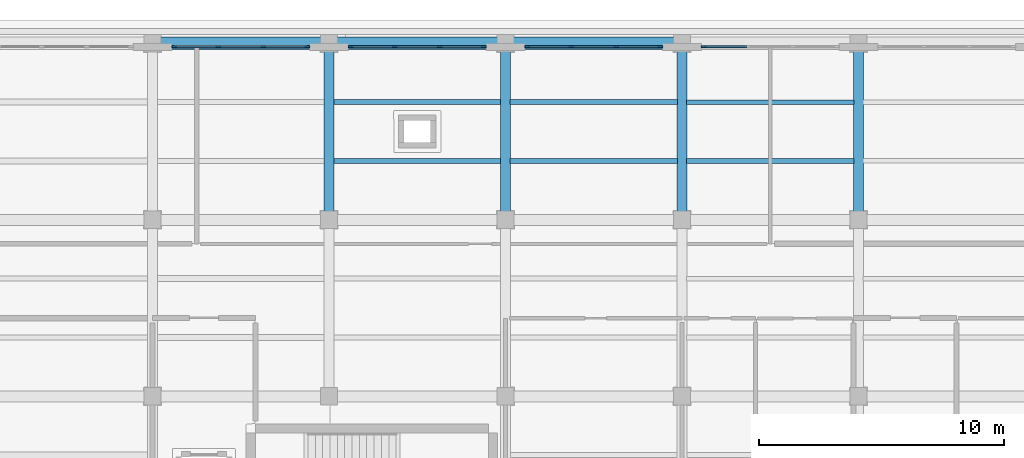
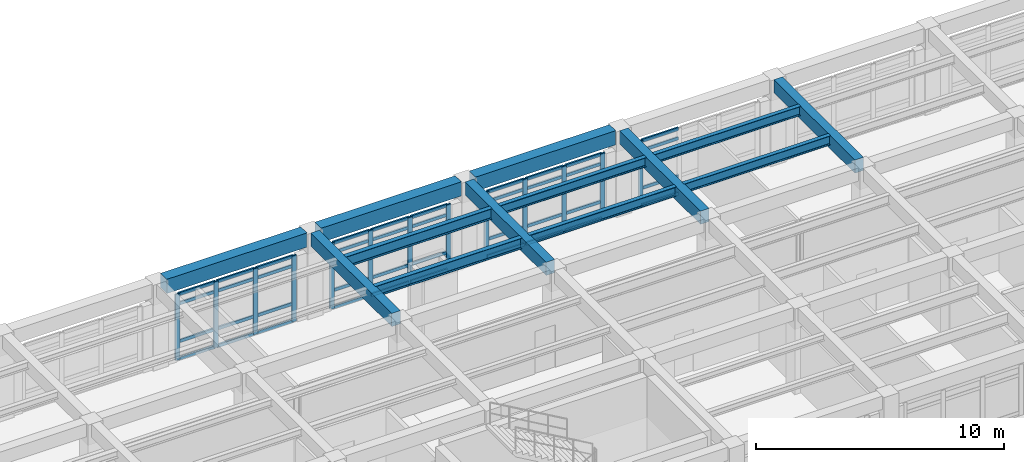
# One storey, part 29 of 64: 53 members, 13 beams, 4 elements without a shape of their own.
"""IFC4 building model written with IfcOpenShell, lengths in metres."""

from ifc_helpers import new_model, si_unit, direction, frame, origin, origin_2d, place, context, subcontext, project, spatial, rectangle, i_section, extrude, material, layer, layer_set, material_profile, profile_set, type_object, element, aggregate, save


model = new_model("IFC4")

# Units and contexts
model_context = context("Model", 3, precision=1e-05, world=origin(), true_north=direction((0.0, 1.0)))
body_context = subcontext(model_context, "Body", "Model", "MODEL_VIEW")
ifc_project = project(units=[si_unit("LENGTHUNIT", "METRE"), si_unit("AREAUNIT", "SQUARE_METRE"), si_unit("VOLUMEUNIT", "CUBIC_METRE"), si_unit("PLANEANGLEUNIT", "RADIAN"), si_unit("MASSUNIT", "GRAM", prefix="KILO")], contexts=[model_context])

# Site, building, storey
site_placement = place(None, origin())
site = spatial("IfcSite", under=ifc_project, at=site_placement, CompositionType="ELEMENT")
building_placement = place(site_placement, origin())
building = spatial("IfcBuilding", under=site, at=building_placement, Name="Solenvale Faculty of Natural Sciences", CompositionType="ELEMENT")
storey_placement = place(building_placement, frame((0.0, 0.0, 18.0)))
storey = spatial("IfcBuildingStorey", under=building, at=storey_placement, Name="L04", CompositionType="ELEMENT", Elevation=18.0)

# Beams
ifc_material_1 = material(Name="Concrete 40 MPa", Category="concrete")
ifc_material_profile_1 = material_profile(ifc_material_1, rectangle(XDim=0.39990234375, YDim=0.64990234375, at=origin_2d()), Name="RC-BM-400x650")
ifc_profile_set_1 = profile_set([ifc_material_profile_1], Name="Concrete 40 MPa")
beam_type_1 = type_object("IfcBeamType", Name="BM-RC-400x650", PredefinedType="BEAM", material=ifc_profile_set_1)
for number, where, z_axis, x_axis, name in (
    (1, (108.0, 108.330078125, 3.89501953125), (0.0, 1.0, 0.0), (-1.0, 0.0, 0.0), "L04 Y-Girder X108.0 (108.0..115.2)"),
    (2, (115.199951171875, 108.330078125, 3.89501953125), (0.0, 1.0, 0.0), (-1.0, 0.0, 0.0), "L04 Y-Girder X115.2 (108.0..115.2)"),
    (3, (122.39990234375, 108.330078125, 3.89501953125), (0.0, 1.0, 0.0), (-1.0, 0.0, 0.0), "L04 Y-Girder X122.4 (108.0..115.2)"),
    (4, (129.60009765625, 108.330078125, 3.89501953125), (0.0, 1.0, 0.0), (-1.0, 0.0, 0.0), "L04 Y-Girder X129.6 (108.0..115.2)"),
):
    element("IfcBeam", number, at=place(storey_placement, frame(where, z_axis=z_axis, x_axis=x_axis)), inside=storey, type_object=beam_type_1, Name=name, PredefinedType="BEAM", context=body_context, shape_type="SweptSolid", body=[
        extrude(rectangle(XDim=0.39990234375, YDim=0.64990234375, at=origin_2d()), origin(), (0.0, 0.0, 1.0), 6.5400390625),
    ])
ifc_material_2 = material(Name="Precast concrete 40 MPa", Category="concrete")
ifc_material_profile_2 = material_profile(ifc_material_2, rectangle(XDim=0.5, YDim=0.699951171875, at=origin_2d()), Name="RC-BM-500x700")
ifc_profile_set_2 = profile_set([ifc_material_profile_2], Name="Precast concrete 40 MPa")
beam_type_2 = type_object("IfcBeamType", Name="BM-SPN-PRC-700", PredefinedType="SPANDREL", material=ifc_profile_set_2)
for number, where, z_axis, x_axis, name in (
    (5, (101.1298828125, 115.199951171875, 3.8701171875), (1.0, 0.0, 0.0), (0.0, 1.0, 0.0), "L04 X-Girder Y115.2 (100.8..108.0)"),
    (6, (108.330078125, 115.199951171875, 3.8701171875), (1.0, 0.0, 0.0), (0.0, 1.0, 0.0), "L04 X-Girder Y115.2 (108.0..115.2)"),
    (7, (115.530029296875, 115.199951171875, 3.8701171875), (1.0, 0.0, 0.0), (0.0, 1.0, 0.0), "L04 X-Girder Y115.2 (115.2..122.4)"),
):
    element("IfcBeam", number, at=place(storey_placement, frame(where, z_axis=z_axis, x_axis=x_axis)), inside=storey, type_object=beam_type_2, Name=name, PredefinedType="SPANDREL", context=body_context, shape_type="SweptSolid", body=[
        extrude(rectangle(XDim=0.5, YDim=0.699951171875, at=origin_2d()), origin(), (0.0, 0.0, 1.0), 6.5400390625),
    ])
ifc_material_3 = material(Name="Steel S355", Category="steel")
ifc_material_profile_3 = material_profile(ifc_material_3, i_section(OverallWidth=0.194091796875, OverallDepth=0.468994140625, WebThickness=0.0126953125, FlangeThickness=0.0205078125, FilletRadius=0.01806640625, at=origin_2d()), Name="W460x106")
ifc_profile_set_3 = profile_set([ifc_material_profile_3], Name="Steel S355")
beam_type_3 = type_object("IfcBeamType", Name="BM-STL-W460x106", PredefinedType="JOIST", material=ifc_profile_set_3)
for number, where, z_axis, x_axis, name in (
    (8, (115.3798828125, 110.39990234375, 3.985595703125), (1.0, 0.0, 0.0), (0.0, 1.0, 0.0), "L04 Composite Floor Joist (17,16).1"),
    (9, (115.3798828125, 112.800048828125, 3.985595703125), (1.0, 0.0, 0.0), (0.0, 1.0, 0.0), "L04 Composite Floor Joist (17,16).2"),
):
    element("IfcBeam", number, at=place(storey_placement, frame(where, z_axis=z_axis, x_axis=x_axis)), inside=storey, type_object=beam_type_3, Name=name, PredefinedType="JOIST", context=body_context, shape_type="SweptSolid", body=[
        extrude(i_section(OverallWidth=0.194091796875, OverallDepth=0.468994140625, WebThickness=0.0126953125, FlangeThickness=0.0205078125, FilletRadius=0.01806640625, at=origin_2d()), origin(), (0.0, 0.0, 1.0), 6.840087890625),
    ])
ifc_material_profile_4 = material_profile(ifc_material_3, i_section(OverallWidth=0.19091796875, OverallDepth=0.4599609375, WebThickness=0.010009765625, FlangeThickness=0.01611328125, FilletRadius=0.01806640625, at=origin_2d()), Name="W460x82")
ifc_profile_set_4 = profile_set([ifc_material_profile_4], Name="Steel S355")
beam_type_4 = type_object("IfcBeamType", Name="BM-STL-W460x82", PredefinedType="JOIST", material=ifc_profile_set_4)
for number, where, z_axis, x_axis, name in (
    (10, (122.580078125, 110.39990234375, 3.989990234375), (1.0, 0.0, 0.0), (0.0, 1.0, 0.0), "L04 Composite Floor Joist (18,16).1"),
    (11, (122.580078125, 112.800048828125, 3.989990234375), (1.0, 0.0, 0.0), (0.0, 1.0, 0.0), "L04 Composite Floor Joist (18,16).2"),
):
    element("IfcBeam", number, at=place(storey_placement, frame(where, z_axis=z_axis, x_axis=x_axis)), inside=storey, type_object=beam_type_4, Name=name, PredefinedType="JOIST", context=body_context, shape_type="SweptSolid", body=[
        extrude(i_section(OverallWidth=0.19091796875, OverallDepth=0.4599609375, WebThickness=0.010009765625, FlangeThickness=0.01611328125, FilletRadius=0.01806640625, at=origin_2d()), origin(), (0.0, 0.0, 1.0), 6.83984375),
    ])
ifc_material_profile_5 = material_profile(ifc_material_3, i_section(OverallWidth=0.208984375, OverallDepth=0.532958984375, WebThickness=0.01025390625, FlangeThickness=0.015625, FilletRadius=0.01904296875, at=origin_2d()), Name="W530x92")
ifc_profile_set_5 = profile_set([ifc_material_profile_5], Name="Steel S355")
beam_type_5 = type_object("IfcBeamType", Name="BM-STL-W530x92", PredefinedType="JOIST", material=ifc_profile_set_5)
for number, where, z_axis, x_axis, name in (
    (12, (108.179931640625, 110.39990234375, 3.95361328125), (1.0, 0.0, 0.0), (0.0, 1.0, 0.0), "L04 Composite Floor Joist (16,16).1"),
    (13, (108.179931640625, 112.800048828125, 3.95361328125), (1.0, 0.0, 0.0), (0.0, 1.0, 0.0), "L04 Composite Floor Joist (16,16).2"),
):
    element("IfcBeam", number, at=place(storey_placement, frame(where, z_axis=z_axis, x_axis=x_axis)), inside=storey, type_object=beam_type_5, Name=name, PredefinedType="JOIST", context=body_context, shape_type="SweptSolid", body=[
        extrude(i_section(OverallWidth=0.208984375, OverallDepth=0.532958984375, WebThickness=0.01025390625, FlangeThickness=0.015625, FilletRadius=0.01904296875, at=origin_2d()), origin(), (0.0, 0.0, 1.0), 6.840087890625),
    ])

# Curtain wall, member
ifc_material_4 = material(Name="Anodised bronze aluminium", Category="aluminium")
ifc_layer = layer(ifc_material_4, 0.179931640625)
ifc_layer_set = layer_set([ifc_layer], Name="Anodised bronze aluminium")
curtain_wall_type = type_object("IfcCurtainWallType", Name="CW-TWR-MOD", PredefinedType="USERDEFINED", material=ifc_layer_set)
curtain_wall_1_placement = place(storey_placement, origin())
curtain_wall_1 = element("IfcCurtainWall", 14, at=curtain_wall_1_placement, inside=storey, type_object=curtain_wall_type, Name="L04 Curtain Wall CW-L04-P3-E4-B4", ObjectType="UNITISED CURTAIN WALL", PredefinedType="USERDEFINED")
ifc_material_profile_6 = material_profile(ifc_material_4, rectangle(XDim=0.074951171875, YDim=0.2099609375, at=origin_2d()), Name="ALU-MUL-75x210")
ifc_profile_set_6 = profile_set([ifc_material_profile_6], Name="Anodised bronze aluminium")
member_type_1 = type_object("IfcMemberType", Name="CWM-ALU-75x210", PredefinedType="MULLION", material=ifc_profile_set_6)
member_1_placement = place(storey_placement, frame((123.28759765625, 115.0576171875, 0.0), z_axis=(0.0, 0.0, 1.0), x_axis=(0.0, -1.0, 0.0)))
member_1 = element("IfcMember", 15, at=member_1_placement, type_object=member_type_1, Name="CW-04 mullion 4", PredefinedType="MULLION", context=body_context, shape_type="SweptSolid", body=[
    extrude(rectangle(XDim=0.074951171875, YDim=0.2099609375, at=origin_2d()), origin(), (0.0, 0.0, 1.0), 3.260009765625),
])

# Curtain wall, members
curtain_wall_2_placement = place(storey_placement, origin())
curtain_wall_2 = element("IfcCurtainWall", 16, at=curtain_wall_2_placement, inside=storey, type_object=curtain_wall_type, Name="L04 Curtain Wall CW-L04-P3-E4-B5", ObjectType="UNITISED CURTAIN WALL", PredefinedType="USERDEFINED")
member_2_placement = place(storey_placement, frame((121.512451171875, 115.0576171875, 0.0), z_axis=(0.0, 0.0, 1.0), x_axis=(0.0, -1.0, 0.0)))
member_2 = element("IfcMember", 17, at=member_2_placement, type_object=member_type_1, Name="CW-04 mullion 1", PredefinedType="MULLION", context=body_context, shape_type="SweptSolid", body=[
    extrude(rectangle(XDim=0.074951171875, YDim=0.2099609375, at=origin_2d()), origin(), (0.0, 0.0, 1.0), 3.260009765625),
])
member_3_placement = place(storey_placement, frame((119.716552734375, 115.0576171875, 0.0), z_axis=(0.0, 0.0, 1.0), x_axis=(0.0, -1.0, 0.0)))
member_3 = element("IfcMember", 18, at=member_3_placement, type_object=member_type_1, Name="CW-04 mullion 2", PredefinedType="MULLION", context=body_context, shape_type="SweptSolid", body=[
    extrude(rectangle(XDim=0.074951171875, YDim=0.2099609375, at=origin_2d()), origin(), (0.0, 0.0, 1.0), 3.260009765625),
])
member_4_placement = place(storey_placement, frame((117.88330078125, 115.0576171875, 0.0), z_axis=(0.0, 0.0, 1.0), x_axis=(0.0, -1.0, 0.0)))
member_4 = element("IfcMember", 19, at=member_4_placement, type_object=member_type_1, Name="CW-04 mullion 3", PredefinedType="MULLION", context=body_context, shape_type="SweptSolid", body=[
    extrude(rectangle(XDim=0.074951171875, YDim=0.2099609375, at=origin_2d()), origin(), (0.0, 0.0, 1.0), 3.260009765625),
])
member_5_placement = place(storey_placement, frame((116.08740234375, 115.0576171875, 0.0), z_axis=(0.0, 0.0, 1.0), x_axis=(0.0, -1.0, 0.0)))
member_5 = element("IfcMember", 20, at=member_5_placement, type_object=member_type_1, Name="CW-04 mullion 4", PredefinedType="MULLION", context=body_context, shape_type="SweptSolid", body=[
    extrude(rectangle(XDim=0.074951171875, YDim=0.2099609375, at=origin_2d()), origin(), (0.0, 0.0, 1.0), 3.260009765625),
])

curtain_wall_3_placement = place(storey_placement, origin())
curtain_wall_3 = element("IfcCurtainWall", 21, at=curtain_wall_3_placement, inside=storey, type_object=curtain_wall_type, Name="L04 Curtain Wall CW-L04-P3-E4-B6", ObjectType="UNITISED CURTAIN WALL", PredefinedType="USERDEFINED")
member_6_placement = place(storey_placement, frame((114.3125, 115.0576171875, 0.0), z_axis=(0.0, 0.0, 1.0), x_axis=(0.0, -1.0, 0.0)))
member_6 = element("IfcMember", 22, at=member_6_placement, type_object=member_type_1, Name="CW-04 mullion 1", PredefinedType="MULLION", context=body_context, shape_type="SweptSolid", body=[
    extrude(rectangle(XDim=0.074951171875, YDim=0.2099609375, at=origin_2d()), origin(), (0.0, 0.0, 1.0), 3.260009765625),
])
member_7_placement = place(storey_placement, frame((112.5166015625, 115.0576171875, 0.0), z_axis=(0.0, 0.0, 1.0), x_axis=(0.0, -1.0, 0.0)))
member_7 = element("IfcMember", 23, at=member_7_placement, type_object=member_type_1, Name="CW-04 mullion 2", PredefinedType="MULLION", context=body_context, shape_type="SweptSolid", body=[
    extrude(rectangle(XDim=0.074951171875, YDim=0.2099609375, at=origin_2d()), origin(), (0.0, 0.0, 1.0), 3.260009765625),
])
member_8_placement = place(storey_placement, frame((110.683349609375, 115.0576171875, 0.0), z_axis=(0.0, 0.0, 1.0), x_axis=(0.0, -1.0, 0.0)))
member_8 = element("IfcMember", 24, at=member_8_placement, type_object=member_type_1, Name="CW-04 mullion 3", PredefinedType="MULLION", context=body_context, shape_type="SweptSolid", body=[
    extrude(rectangle(XDim=0.074951171875, YDim=0.2099609375, at=origin_2d()), origin(), (0.0, 0.0, 1.0), 3.260009765625),
])
member_9_placement = place(storey_placement, frame((108.887451171875, 115.0576171875, 0.0), z_axis=(0.0, 0.0, 1.0), x_axis=(0.0, -1.0, 0.0)))
member_9 = element("IfcMember", 25, at=member_9_placement, type_object=member_type_1, Name="CW-04 mullion 4", PredefinedType="MULLION", context=body_context, shape_type="SweptSolid", body=[
    extrude(rectangle(XDim=0.074951171875, YDim=0.2099609375, at=origin_2d()), origin(), (0.0, 0.0, 1.0), 3.260009765625),
])

curtain_wall_4_placement = place(storey_placement, origin())
curtain_wall_4 = element("IfcCurtainWall", 26, at=curtain_wall_4_placement, inside=storey, type_object=curtain_wall_type, Name="L04 Curtain Wall CW-L04-P3-E4-B7", ObjectType="UNITISED CURTAIN WALL", PredefinedType="USERDEFINED")
member_10_placement = place(storey_placement, frame((107.112548828125, 115.0576171875, 0.0), z_axis=(0.0, 0.0, 1.0), x_axis=(0.0, -1.0, 0.0)))
member_10 = element("IfcMember", 27, at=member_10_placement, type_object=member_type_1, Name="CW-04 mullion 1", PredefinedType="MULLION", context=body_context, shape_type="SweptSolid", body=[
    extrude(rectangle(XDim=0.074951171875, YDim=0.2099609375, at=origin_2d()), origin(), (0.0, 0.0, 1.0), 3.260009765625),
])
member_11_placement = place(storey_placement, frame((105.316650390625, 115.0576171875, 0.0), z_axis=(0.0, 0.0, 1.0), x_axis=(0.0, -1.0, 0.0)))
member_11 = element("IfcMember", 28, at=member_11_placement, type_object=member_type_1, Name="CW-04 mullion 2", PredefinedType="MULLION", context=body_context, shape_type="SweptSolid", body=[
    extrude(rectangle(XDim=0.074951171875, YDim=0.2099609375, at=origin_2d()), origin(), (0.0, 0.0, 1.0), 3.260009765625),
])
member_12_placement = place(storey_placement, frame((103.4833984375, 115.0576171875, 0.0), z_axis=(0.0, 0.0, 1.0), x_axis=(0.0, -1.0, 0.0)))
member_12 = element("IfcMember", 29, at=member_12_placement, type_object=member_type_1, Name="CW-04 mullion 3", PredefinedType="MULLION", context=body_context, shape_type="SweptSolid", body=[
    extrude(rectangle(XDim=0.074951171875, YDim=0.2099609375, at=origin_2d()), origin(), (0.0, 0.0, 1.0), 3.260009765625),
])
member_13_placement = place(storey_placement, frame((101.6875, 115.0576171875, 0.0), z_axis=(0.0, 0.0, 1.0), x_axis=(0.0, -1.0, 0.0)))
member_13 = element("IfcMember", 30, at=member_13_placement, type_object=member_type_1, Name="CW-04 mullion 4", PredefinedType="MULLION", context=body_context, shape_type="SweptSolid", body=[
    extrude(rectangle(XDim=0.074951171875, YDim=0.2099609375, at=origin_2d()), origin(), (0.0, 0.0, 1.0), 3.260009765625),
])

# Member
ifc_material_profile_7 = material_profile(ifc_material_4, rectangle(XDim=0.074951171875, YDim=0.155029296875, at=origin_2d()), Name="ALU-TRN-75x155")
ifc_profile_set_7 = profile_set([ifc_material_profile_7], Name="Anodised bronze aluminium")
member_type_2 = type_object("IfcMemberType", Name="CWT-ALU-75x155", PredefinedType="USERDEFINED", material=ifc_profile_set_7)
member_14_placement = place(storey_placement, frame((125.0458984375, 115.0576171875, 0.03759765625), z_axis=(-1.0, 0.0, 0.0), x_axis=(0.0, -1.0, 0.0)))
member_14 = element("IfcMember", 31, at=member_14_placement, type_object=member_type_2, Name="CW-04 transom 3.1", ObjectType="TRANSOM", PredefinedType="USERDEFINED", context=body_context, shape_type="SweptSolid", body=[
    extrude(rectangle(XDim=0.074951171875, YDim=0.155029296875, at=origin_2d()), origin(), (0.0, 0.0, 1.0), 1.720947265625),
])

member_15_placement = place(storey_placement, frame((125.0458984375, 115.0576171875, 0.89990234375), z_axis=(-1.0, 0.0, 0.0), x_axis=(0.0, -1.0, 0.0)))
member_15 = element("IfcMember", 32, at=member_15_placement, type_object=member_type_2, Name="CW-04 transom 3.2", ObjectType="TRANSOM", PredefinedType="USERDEFINED", context=body_context, shape_type="SweptSolid", body=[
    extrude(rectangle(XDim=0.074951171875, YDim=0.155029296875, at=origin_2d()), origin(), (0.0, 0.0, 1.0), 1.720947265625),
])

member_16_placement = place(storey_placement, frame((125.0458984375, 115.0576171875, 2.760009765625), z_axis=(-1.0, 0.0, 0.0), x_axis=(0.0, -1.0, 0.0)))
member_16 = element("IfcMember", 33, at=member_16_placement, type_object=member_type_2, Name="CW-04 transom 3.3", ObjectType="TRANSOM", PredefinedType="USERDEFINED", context=body_context, shape_type="SweptSolid", body=[
    extrude(rectangle(XDim=0.074951171875, YDim=0.155029296875, at=origin_2d()), origin(), (0.0, 0.0, 1.0), 1.720947265625),
])

member_17_placement = place(storey_placement, frame((125.0458984375, 115.0576171875, 3.222412109375), z_axis=(-1.0, 0.0, 0.0), x_axis=(0.0, -1.0, 0.0)))
member_17 = element("IfcMember", 34, at=member_17_placement, type_object=member_type_2, Name="CW-04 transom 3.4", ObjectType="TRANSOM", PredefinedType="USERDEFINED", context=body_context, shape_type="SweptSolid", body=[
    extrude(rectangle(XDim=0.074951171875, YDim=0.155029296875, at=origin_2d()), origin(), (0.0, 0.0, 1.0), 1.720947265625),
])

aggregate(curtain_wall_1, [member_1, member_14, member_15, member_16, member_17])

member_18_placement = place(storey_placement, frame((121.47509765625, 115.0576171875, 0.03759765625), z_axis=(-1.0, 0.0, 0.0), x_axis=(0.0, -1.0, 0.0)))
member_18 = element("IfcMember", 35, at=member_18_placement, type_object=member_type_2, Name="CW-04 transom 1.1", ObjectType="TRANSOM", PredefinedType="USERDEFINED", context=body_context, shape_type="SweptSolid", body=[
    extrude(rectangle(XDim=0.074951171875, YDim=0.155029296875, at=origin_2d()), origin(), (0.0, 0.0, 1.0), 1.720947265625),
])

member_19_placement = place(storey_placement, frame((121.47509765625, 115.0576171875, 0.89990234375), z_axis=(-1.0, 0.0, 0.0), x_axis=(0.0, -1.0, 0.0)))
member_19 = element("IfcMember", 36, at=member_19_placement, type_object=member_type_2, Name="CW-04 transom 1.2", ObjectType="TRANSOM", PredefinedType="USERDEFINED", context=body_context, shape_type="SweptSolid", body=[
    extrude(rectangle(XDim=0.074951171875, YDim=0.155029296875, at=origin_2d()), origin(), (0.0, 0.0, 1.0), 1.720947265625),
])

member_20_placement = place(storey_placement, frame((121.47509765625, 115.0576171875, 2.760009765625), z_axis=(-1.0, 0.0, 0.0), x_axis=(0.0, -1.0, 0.0)))
member_20 = element("IfcMember", 37, at=member_20_placement, type_object=member_type_2, Name="CW-04 transom 1.3", ObjectType="TRANSOM", PredefinedType="USERDEFINED", context=body_context, shape_type="SweptSolid", body=[
    extrude(rectangle(XDim=0.074951171875, YDim=0.155029296875, at=origin_2d()), origin(), (0.0, 0.0, 1.0), 1.720947265625),
])

member_21_placement = place(storey_placement, frame((121.47509765625, 115.0576171875, 3.222412109375), z_axis=(-1.0, 0.0, 0.0), x_axis=(0.0, -1.0, 0.0)))
member_21 = element("IfcMember", 38, at=member_21_placement, type_object=member_type_2, Name="CW-04 transom 1.4", ObjectType="TRANSOM", PredefinedType="USERDEFINED", context=body_context, shape_type="SweptSolid", body=[
    extrude(rectangle(XDim=0.074951171875, YDim=0.155029296875, at=origin_2d()), origin(), (0.0, 0.0, 1.0), 1.720947265625),
])

member_22_placement = place(storey_placement, frame((119.67919921875, 115.0576171875, 0.03759765625), z_axis=(-1.0, 0.0, 0.0), x_axis=(0.0, -1.0, 0.0)))
member_22 = element("IfcMember", 39, at=member_22_placement, type_object=member_type_2, Name="CW-04 transom 2.1", ObjectType="TRANSOM", PredefinedType="USERDEFINED", context=body_context, shape_type="SweptSolid", body=[
    extrude(rectangle(XDim=0.074951171875, YDim=0.155029296875, at=origin_2d()), origin(), (0.0, 0.0, 1.0), 1.75830078125),
])

member_23_placement = place(storey_placement, frame((119.67919921875, 115.0576171875, 0.89990234375), z_axis=(-1.0, 0.0, 0.0), x_axis=(0.0, -1.0, 0.0)))
member_23 = element("IfcMember", 40, at=member_23_placement, type_object=member_type_2, Name="CW-04 transom 2.2", ObjectType="TRANSOM", PredefinedType="USERDEFINED", context=body_context, shape_type="SweptSolid", body=[
    extrude(rectangle(XDim=0.074951171875, YDim=0.155029296875, at=origin_2d()), origin(), (0.0, 0.0, 1.0), 1.75830078125),
])

member_24_placement = place(storey_placement, frame((119.67919921875, 115.0576171875, 2.760009765625), z_axis=(-1.0, 0.0, 0.0), x_axis=(0.0, -1.0, 0.0)))
member_24 = element("IfcMember", 41, at=member_24_placement, type_object=member_type_2, Name="CW-04 transom 2.3", ObjectType="TRANSOM", PredefinedType="USERDEFINED", context=body_context, shape_type="SweptSolid", body=[
    extrude(rectangle(XDim=0.074951171875, YDim=0.155029296875, at=origin_2d()), origin(), (0.0, 0.0, 1.0), 1.75830078125),
])

member_25_placement = place(storey_placement, frame((119.67919921875, 115.0576171875, 3.222412109375), z_axis=(-1.0, 0.0, 0.0), x_axis=(0.0, -1.0, 0.0)))
member_25 = element("IfcMember", 42, at=member_25_placement, type_object=member_type_2, Name="CW-04 transom 2.4", ObjectType="TRANSOM", PredefinedType="USERDEFINED", context=body_context, shape_type="SweptSolid", body=[
    extrude(rectangle(XDim=0.074951171875, YDim=0.155029296875, at=origin_2d()), origin(), (0.0, 0.0, 1.0), 1.75830078125),
])

member_26_placement = place(storey_placement, frame((117.845947265625, 115.0576171875, 0.03759765625), z_axis=(-1.0, 0.0, 0.0), x_axis=(0.0, -1.0, 0.0)))
member_26 = element("IfcMember", 43, at=member_26_placement, type_object=member_type_2, Name="CW-04 transom 3.1", ObjectType="TRANSOM", PredefinedType="USERDEFINED", context=body_context, shape_type="SweptSolid", body=[
    extrude(rectangle(XDim=0.074951171875, YDim=0.155029296875, at=origin_2d()), origin(), (0.0, 0.0, 1.0), 1.720947265625),
])

member_27_placement = place(storey_placement, frame((117.845947265625, 115.0576171875, 0.89990234375), z_axis=(-1.0, 0.0, 0.0), x_axis=(0.0, -1.0, 0.0)))
member_27 = element("IfcMember", 44, at=member_27_placement, type_object=member_type_2, Name="CW-04 transom 3.2", ObjectType="TRANSOM", PredefinedType="USERDEFINED", context=body_context, shape_type="SweptSolid", body=[
    extrude(rectangle(XDim=0.074951171875, YDim=0.155029296875, at=origin_2d()), origin(), (0.0, 0.0, 1.0), 1.720947265625),
])

member_28_placement = place(storey_placement, frame((117.845947265625, 115.0576171875, 2.760009765625), z_axis=(-1.0, 0.0, 0.0), x_axis=(0.0, -1.0, 0.0)))
member_28 = element("IfcMember", 45, at=member_28_placement, type_object=member_type_2, Name="CW-04 transom 3.3", ObjectType="TRANSOM", PredefinedType="USERDEFINED", context=body_context, shape_type="SweptSolid", body=[
    extrude(rectangle(XDim=0.074951171875, YDim=0.155029296875, at=origin_2d()), origin(), (0.0, 0.0, 1.0), 1.720947265625),
])

member_29_placement = place(storey_placement, frame((117.845947265625, 115.0576171875, 3.222412109375), z_axis=(-1.0, 0.0, 0.0), x_axis=(0.0, -1.0, 0.0)))
member_29 = element("IfcMember", 46, at=member_29_placement, type_object=member_type_2, Name="CW-04 transom 3.4", ObjectType="TRANSOM", PredefinedType="USERDEFINED", context=body_context, shape_type="SweptSolid", body=[
    extrude(rectangle(XDim=0.074951171875, YDim=0.155029296875, at=origin_2d()), origin(), (0.0, 0.0, 1.0), 1.720947265625),
])

aggregate(curtain_wall_2, [member_2, member_3, member_4, member_5, member_18, member_19, member_20, member_21, member_22, member_23, member_24, member_25, member_26, member_27, member_28, member_29])

member_30_placement = place(storey_placement, frame((114.27490234375, 115.0576171875, 0.03759765625), z_axis=(-1.0, 0.0, 0.0), x_axis=(0.0, -1.0, 0.0)))
member_30 = element("IfcMember", 47, at=member_30_placement, type_object=member_type_2, Name="CW-04 transom 1.1", ObjectType="TRANSOM", PredefinedType="USERDEFINED", context=body_context, shape_type="SweptSolid", body=[
    extrude(rectangle(XDim=0.074951171875, YDim=0.155029296875, at=origin_2d()), origin(), (0.0, 0.0, 1.0), 1.720703125),
])

member_31_placement = place(storey_placement, frame((114.27490234375, 115.0576171875, 0.89990234375), z_axis=(-1.0, 0.0, 0.0), x_axis=(0.0, -1.0, 0.0)))
member_31 = element("IfcMember", 48, at=member_31_placement, type_object=member_type_2, Name="CW-04 transom 1.2", ObjectType="TRANSOM", PredefinedType="USERDEFINED", context=body_context, shape_type="SweptSolid", body=[
    extrude(rectangle(XDim=0.074951171875, YDim=0.155029296875, at=origin_2d()), origin(), (0.0, 0.0, 1.0), 1.720703125),
])

member_32_placement = place(storey_placement, frame((114.27490234375, 115.0576171875, 2.760009765625), z_axis=(-1.0, 0.0, 0.0), x_axis=(0.0, -1.0, 0.0)))
member_32 = element("IfcMember", 49, at=member_32_placement, type_object=member_type_2, Name="CW-04 transom 1.3", ObjectType="TRANSOM", PredefinedType="USERDEFINED", context=body_context, shape_type="SweptSolid", body=[
    extrude(rectangle(XDim=0.074951171875, YDim=0.155029296875, at=origin_2d()), origin(), (0.0, 0.0, 1.0), 1.720703125),
])

member_33_placement = place(storey_placement, frame((114.27490234375, 115.0576171875, 3.222412109375), z_axis=(-1.0, 0.0, 0.0), x_axis=(0.0, -1.0, 0.0)))
member_33 = element("IfcMember", 50, at=member_33_placement, type_object=member_type_2, Name="CW-04 transom 1.4", ObjectType="TRANSOM", PredefinedType="USERDEFINED", context=body_context, shape_type="SweptSolid", body=[
    extrude(rectangle(XDim=0.074951171875, YDim=0.155029296875, at=origin_2d()), origin(), (0.0, 0.0, 1.0), 1.720703125),
])

member_34_placement = place(storey_placement, frame((112.479248046875, 115.0576171875, 0.03759765625), z_axis=(-1.0, 0.0, 0.0), x_axis=(0.0, -1.0, 0.0)))
member_34 = element("IfcMember", 51, at=member_34_placement, type_object=member_type_2, Name="CW-04 transom 2.1", ObjectType="TRANSOM", PredefinedType="USERDEFINED", context=body_context, shape_type="SweptSolid", body=[
    extrude(rectangle(XDim=0.074951171875, YDim=0.155029296875, at=origin_2d()), origin(), (0.0, 0.0, 1.0), 1.75830078125),
])

member_35_placement = place(storey_placement, frame((112.479248046875, 115.0576171875, 0.89990234375), z_axis=(-1.0, 0.0, 0.0), x_axis=(0.0, -1.0, 0.0)))
member_35 = element("IfcMember", 52, at=member_35_placement, type_object=member_type_2, Name="CW-04 transom 2.2", ObjectType="TRANSOM", PredefinedType="USERDEFINED", context=body_context, shape_type="SweptSolid", body=[
    extrude(rectangle(XDim=0.074951171875, YDim=0.155029296875, at=origin_2d()), origin(), (0.0, 0.0, 1.0), 1.75830078125),
])

member_36_placement = place(storey_placement, frame((112.479248046875, 115.0576171875, 2.760009765625), z_axis=(-1.0, 0.0, 0.0), x_axis=(0.0, -1.0, 0.0)))
member_36 = element("IfcMember", 53, at=member_36_placement, type_object=member_type_2, Name="CW-04 transom 2.3", ObjectType="TRANSOM", PredefinedType="USERDEFINED", context=body_context, shape_type="SweptSolid", body=[
    extrude(rectangle(XDim=0.074951171875, YDim=0.155029296875, at=origin_2d()), origin(), (0.0, 0.0, 1.0), 1.75830078125),
])

member_37_placement = place(storey_placement, frame((112.479248046875, 115.0576171875, 3.222412109375), z_axis=(-1.0, 0.0, 0.0), x_axis=(0.0, -1.0, 0.0)))
member_37 = element("IfcMember", 54, at=member_37_placement, type_object=member_type_2, Name="CW-04 transom 2.4", ObjectType="TRANSOM", PredefinedType="USERDEFINED", context=body_context, shape_type="SweptSolid", body=[
    extrude(rectangle(XDim=0.074951171875, YDim=0.155029296875, at=origin_2d()), origin(), (0.0, 0.0, 1.0), 1.75830078125),
])

member_38_placement = place(storey_placement, frame((110.645751953125, 115.0576171875, 0.03759765625), z_axis=(-1.0, 0.0, 0.0), x_axis=(0.0, -1.0, 0.0)))
member_38 = element("IfcMember", 55, at=member_38_placement, type_object=member_type_2, Name="CW-04 transom 3.1", ObjectType="TRANSOM", PredefinedType="USERDEFINED", context=body_context, shape_type="SweptSolid", body=[
    extrude(rectangle(XDim=0.074951171875, YDim=0.155029296875, at=origin_2d()), origin(), (0.0, 0.0, 1.0), 1.720703125),
])

member_39_placement = place(storey_placement, frame((110.645751953125, 115.0576171875, 0.89990234375), z_axis=(-1.0, 0.0, 0.0), x_axis=(0.0, -1.0, 0.0)))
member_39 = element("IfcMember", 56, at=member_39_placement, type_object=member_type_2, Name="CW-04 transom 3.2", ObjectType="TRANSOM", PredefinedType="USERDEFINED", context=body_context, shape_type="SweptSolid", body=[
    extrude(rectangle(XDim=0.074951171875, YDim=0.155029296875, at=origin_2d()), origin(), (0.0, 0.0, 1.0), 1.720703125),
])

member_40_placement = place(storey_placement, frame((110.645751953125, 115.0576171875, 2.760009765625), z_axis=(-1.0, 0.0, 0.0), x_axis=(0.0, -1.0, 0.0)))
member_40 = element("IfcMember", 57, at=member_40_placement, type_object=member_type_2, Name="CW-04 transom 3.3", ObjectType="TRANSOM", PredefinedType="USERDEFINED", context=body_context, shape_type="SweptSolid", body=[
    extrude(rectangle(XDim=0.074951171875, YDim=0.155029296875, at=origin_2d()), origin(), (0.0, 0.0, 1.0), 1.720703125),
])

member_41_placement = place(storey_placement, frame((110.645751953125, 115.0576171875, 3.222412109375), z_axis=(-1.0, 0.0, 0.0), x_axis=(0.0, -1.0, 0.0)))
member_41 = element("IfcMember", 58, at=member_41_placement, type_object=member_type_2, Name="CW-04 transom 3.4", ObjectType="TRANSOM", PredefinedType="USERDEFINED", context=body_context, shape_type="SweptSolid", body=[
    extrude(rectangle(XDim=0.074951171875, YDim=0.155029296875, at=origin_2d()), origin(), (0.0, 0.0, 1.0), 1.720703125),
])

aggregate(curtain_wall_3, [member_6, member_7, member_8, member_9, member_30, member_31, member_32, member_33, member_34, member_35, member_36, member_37, member_38, member_39, member_40, member_41])

member_42_placement = place(storey_placement, frame((107.074951171875, 115.0576171875, 0.03759765625), z_axis=(-1.0, 0.0, 0.0), x_axis=(0.0, -1.0, 0.0)))
member_42 = element("IfcMember", 59, at=member_42_placement, type_object=member_type_2, Name="CW-04 transom 1.1", ObjectType="TRANSOM", PredefinedType="USERDEFINED", context=body_context, shape_type="SweptSolid", body=[
    extrude(rectangle(XDim=0.074951171875, YDim=0.155029296875, at=origin_2d()), origin(), (0.0, 0.0, 1.0), 1.720703125),
])

member_43_placement = place(storey_placement, frame((107.074951171875, 115.0576171875, 0.89990234375), z_axis=(-1.0, 0.0, 0.0), x_axis=(0.0, -1.0, 0.0)))
member_43 = element("IfcMember", 60, at=member_43_placement, type_object=member_type_2, Name="CW-04 transom 1.2", ObjectType="TRANSOM", PredefinedType="USERDEFINED", context=body_context, shape_type="SweptSolid", body=[
    extrude(rectangle(XDim=0.074951171875, YDim=0.155029296875, at=origin_2d()), origin(), (0.0, 0.0, 1.0), 1.720703125),
])

member_44_placement = place(storey_placement, frame((107.074951171875, 115.0576171875, 2.760009765625), z_axis=(-1.0, 0.0, 0.0), x_axis=(0.0, -1.0, 0.0)))
member_44 = element("IfcMember", 61, at=member_44_placement, type_object=member_type_2, Name="CW-04 transom 1.3", ObjectType="TRANSOM", PredefinedType="USERDEFINED", context=body_context, shape_type="SweptSolid", body=[
    extrude(rectangle(XDim=0.074951171875, YDim=0.155029296875, at=origin_2d()), origin(), (0.0, 0.0, 1.0), 1.720703125),
])

member_45_placement = place(storey_placement, frame((107.074951171875, 115.0576171875, 3.222412109375), z_axis=(-1.0, 0.0, 0.0), x_axis=(0.0, -1.0, 0.0)))
member_45 = element("IfcMember", 62, at=member_45_placement, type_object=member_type_2, Name="CW-04 transom 1.4", ObjectType="TRANSOM", PredefinedType="USERDEFINED", context=body_context, shape_type="SweptSolid", body=[
    extrude(rectangle(XDim=0.074951171875, YDim=0.155029296875, at=origin_2d()), origin(), (0.0, 0.0, 1.0), 1.720703125),
])

member_46_placement = place(storey_placement, frame((105.279052734375, 115.0576171875, 0.03759765625), z_axis=(-1.0, 0.0, 0.0), x_axis=(0.0, -1.0, 0.0)))
member_46 = element("IfcMember", 63, at=member_46_placement, type_object=member_type_2, Name="CW-04 transom 2.1", ObjectType="TRANSOM", PredefinedType="USERDEFINED", context=body_context, shape_type="SweptSolid", body=[
    extrude(rectangle(XDim=0.074951171875, YDim=0.155029296875, at=origin_2d()), origin(), (0.0, 0.0, 1.0), 1.75830078125),
])

member_47_placement = place(storey_placement, frame((105.279052734375, 115.0576171875, 0.89990234375), z_axis=(-1.0, 0.0, 0.0), x_axis=(0.0, -1.0, 0.0)))
member_47 = element("IfcMember", 64, at=member_47_placement, type_object=member_type_2, Name="CW-04 transom 2.2", ObjectType="TRANSOM", PredefinedType="USERDEFINED", context=body_context, shape_type="SweptSolid", body=[
    extrude(rectangle(XDim=0.074951171875, YDim=0.155029296875, at=origin_2d()), origin(), (0.0, 0.0, 1.0), 1.75830078125),
])

member_48_placement = place(storey_placement, frame((105.279052734375, 115.0576171875, 2.760009765625), z_axis=(-1.0, 0.0, 0.0), x_axis=(0.0, -1.0, 0.0)))
member_48 = element("IfcMember", 65, at=member_48_placement, type_object=member_type_2, Name="CW-04 transom 2.3", ObjectType="TRANSOM", PredefinedType="USERDEFINED", context=body_context, shape_type="SweptSolid", body=[
    extrude(rectangle(XDim=0.074951171875, YDim=0.155029296875, at=origin_2d()), origin(), (0.0, 0.0, 1.0), 1.75830078125),
])

member_49_placement = place(storey_placement, frame((105.279052734375, 115.0576171875, 3.222412109375), z_axis=(-1.0, 0.0, 0.0), x_axis=(0.0, -1.0, 0.0)))
member_49 = element("IfcMember", 66, at=member_49_placement, type_object=member_type_2, Name="CW-04 transom 2.4", ObjectType="TRANSOM", PredefinedType="USERDEFINED", context=body_context, shape_type="SweptSolid", body=[
    extrude(rectangle(XDim=0.074951171875, YDim=0.155029296875, at=origin_2d()), origin(), (0.0, 0.0, 1.0), 1.75830078125),
])

member_50_placement = place(storey_placement, frame((103.44580078125, 115.0576171875, 0.03759765625), z_axis=(-1.0, 0.0, 0.0), x_axis=(0.0, -1.0, 0.0)))
member_50 = element("IfcMember", 67, at=member_50_placement, type_object=member_type_2, Name="CW-04 transom 3.1", ObjectType="TRANSOM", PredefinedType="USERDEFINED", context=body_context, shape_type="SweptSolid", body=[
    extrude(rectangle(XDim=0.074951171875, YDim=0.155029296875, at=origin_2d()), origin(), (0.0, 0.0, 1.0), 1.720703125),
])

member_51_placement = place(storey_placement, frame((103.44580078125, 115.0576171875, 0.89990234375), z_axis=(-1.0, 0.0, 0.0), x_axis=(0.0, -1.0, 0.0)))
member_51 = element("IfcMember", 68, at=member_51_placement, type_object=member_type_2, Name="CW-04 transom 3.2", ObjectType="TRANSOM", PredefinedType="USERDEFINED", context=body_context, shape_type="SweptSolid", body=[
    extrude(rectangle(XDim=0.074951171875, YDim=0.155029296875, at=origin_2d()), origin(), (0.0, 0.0, 1.0), 1.720703125),
])

member_52_placement = place(storey_placement, frame((103.44580078125, 115.0576171875, 2.760009765625), z_axis=(-1.0, 0.0, 0.0), x_axis=(0.0, -1.0, 0.0)))
member_52 = element("IfcMember", 69, at=member_52_placement, type_object=member_type_2, Name="CW-04 transom 3.3", ObjectType="TRANSOM", PredefinedType="USERDEFINED", context=body_context, shape_type="SweptSolid", body=[
    extrude(rectangle(XDim=0.074951171875, YDim=0.155029296875, at=origin_2d()), origin(), (0.0, 0.0, 1.0), 1.720703125),
])

member_53_placement = place(storey_placement, frame((103.44580078125, 115.0576171875, 3.222412109375), z_axis=(-1.0, 0.0, 0.0), x_axis=(0.0, -1.0, 0.0)))
member_53 = element("IfcMember", 70, at=member_53_placement, type_object=member_type_2, Name="CW-04 transom 3.4", ObjectType="TRANSOM", PredefinedType="USERDEFINED", context=body_context, shape_type="SweptSolid", body=[
    extrude(rectangle(XDim=0.074951171875, YDim=0.155029296875, at=origin_2d()), origin(), (0.0, 0.0, 1.0), 1.720703125),
])

aggregate(curtain_wall_4, [member_10, member_11, member_12, member_13, member_42, member_43, member_44, member_45, member_46, member_47, member_48, member_49, member_50, member_51, member_52, member_53])

save(model, "model.ifc")
